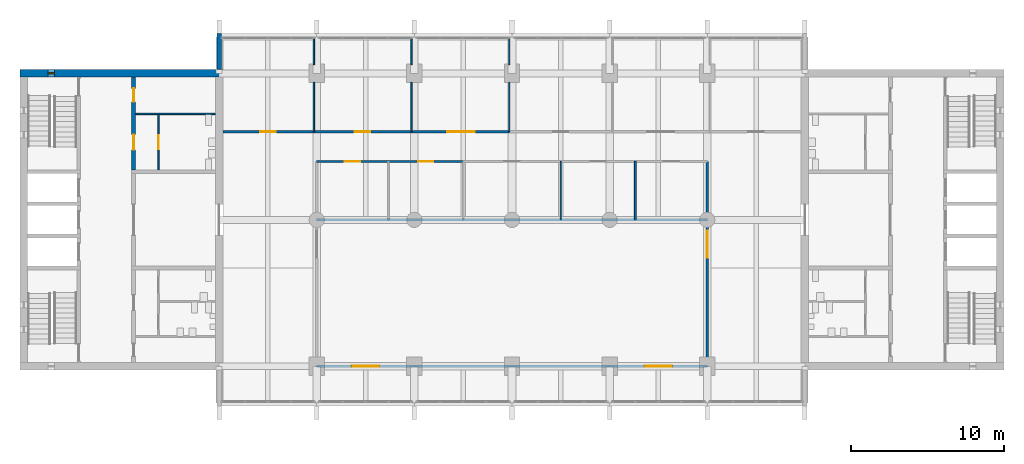
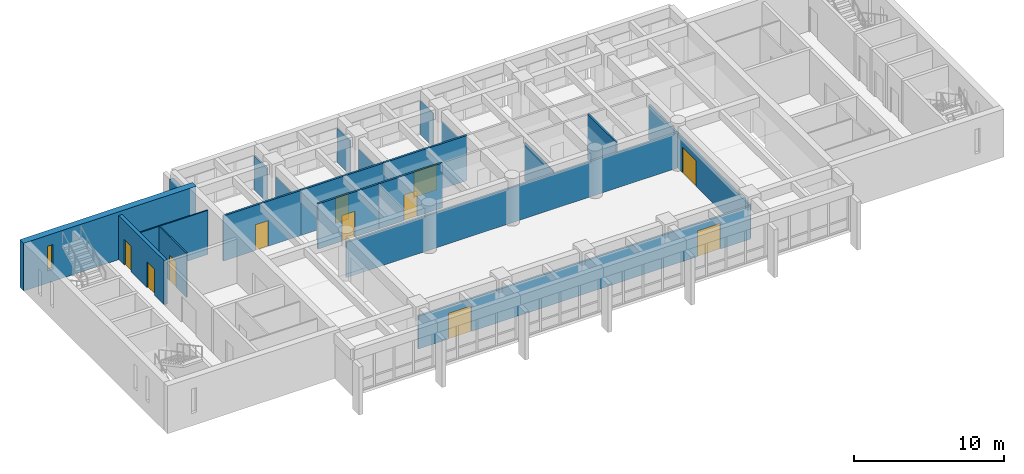
# One storey, part 10 of 15: 21 walls, 11 doors, 1 window, 12 openings.
"""IFC4 building model written with IfcOpenShell, lengths in metres."""

from ifc_helpers import new_model, si_unit, direction, frame, frame_2d, origin, place, context, subcontext, project, spatial, rectangle, extrude, material, layer, layer_set, type_object, element, fill, save


model = new_model("IFC4")

# Units and contexts
model_context = context("Model", 3, precision=1e-05, world=origin(), true_north=direction((0.0, 1.0)))
body_context = subcontext(model_context, "Body", "Model", "MODEL_VIEW")
ifc_project = project(units=[si_unit("LENGTHUNIT", "METRE"), si_unit("AREAUNIT", "SQUARE_METRE"), si_unit("VOLUMEUNIT", "CUBIC_METRE"), si_unit("PLANEANGLEUNIT", "RADIAN"), si_unit("MASSUNIT", "GRAM", prefix="KILO")], contexts=[model_context])

# Site, building, storey
site_placement = place(None, origin())
site = spatial("IfcSite", under=ifc_project, at=site_placement, CompositionType="ELEMENT")
building_placement = place(site_placement, origin())
building = spatial("IfcBuilding", under=site, at=building_placement, Name="Fogon Plaza Fire Station and Headquarters Tower", CompositionType="ELEMENT")
storey_placement = place(building_placement, frame((0.0, 0.0, 32.699951171875)))
storey = spatial("IfcBuildingStorey", under=building, at=storey_placement, Name="L08", CompositionType="ELEMENT", Elevation=32.699951171875)

# Wall, openings, doors
ifc_material_1 = material(Name="Concrete C40", Category="concrete")
ifc_layer_1 = layer(ifc_material_1, 0.25)
ifc_layer_set_1 = layer_set([ifc_layer_1], Name="Concrete C40")
wall_type_1 = type_object("IfcWallType", Name="Core Wall RC 250", PredefinedType="SOLIDWALL", material=ifc_layer_set_1)
wall_1_placement = place(storey_placement, frame((20.0, 46.47509765625, 0.0), z_axis=(0.0, 0.0, 1.0), x_axis=(0.0, 1.0, 0.0)))
wall_1 = element("IfcWall", 1, at=wall_1_placement, inside=storey, type_object=wall_type_1, Name="Core A shaft wall", PredefinedType="SOLIDWALL", context=body_context, shape_type="SweptSolid", body=[
    extrude(rectangle(XDim=6.074951171875, YDim=0.25, at=frame_2d((3.03759765625, 0.0))), origin(), (0.0, 0.0, 1.0), 3.60009765625),
])
opening_1_placement = place(wall_1_placement, frame((1.3125, 0.0, 0.0)))
opening_1 = element("IfcOpeningElement", 2, at=opening_1_placement, cuts=wall_1, Name="Opening L08-D12", PredefinedType="OPENING", context=body_context, shape_type="SweptSolid", body=[
    extrude(rectangle(XDim=1.0, YDim=2.10009765625, at=frame_2d((0.5, 1.050048828125))), frame((0.0, 0.135009765625, 0.0), z_axis=(0.0, -1.0, 0.0), x_axis=(1.0, 0.0, 0.0)), (0.0, 0.0, 1.0), 0.27001953125),
])
opening_2_placement = place(wall_1_placement, frame((4.449951171875, 0.0, 0.0)))
opening_2 = element("IfcOpeningElement", 3, at=opening_2_placement, cuts=wall_1, Name="Opening L08-D14", PredefinedType="OPENING", context=body_context, shape_type="SweptSolid", body=[
    extrude(rectangle(XDim=0.89990234375, YDim=2.10009765625, at=frame_2d((0.449951171875, 1.050048828125))), frame((0.0, 0.135009765625, 0.0), z_axis=(0.0, -1.0, 0.0), x_axis=(1.0, 0.0, 0.0)), (0.0, 0.0, 1.0), 0.27001953125),
])
ifc_material_2 = material(Name="Steel Fire Door Leaf", Category="steel")
door_type_1 = type_object("IfcDoorType", Name="Riser Single 900x2100", OperationType="SINGLE_SWING_LEFT", PredefinedType="DOOR", material=ifc_material_2)
door_1_placement = place(opening_2_placement, frame((0.89990234375, 0.0, 0.0), z_axis=(0.0, 0.0, 1.0), x_axis=(-1.0, 0.0, 0.0)))
door_1 = element("IfcDoor", 4, at=door_1_placement, inside=storey, type_object=door_type_1, Name="Riser room A door", OperationType="SINGLE_SWING_LEFT", OverallHeight=2.10009765625, OverallWidth=0.89990234375, PredefinedType="DOOR", context=body_context, shape_type="SweptSolid", body=[
    extrude(rectangle(XDim=0.89990234375, YDim=2.10009765625, at=frame_2d((0.449951171875, 1.050048828125))), frame((0.0, 0.02490234375, 0.0), z_axis=(0.0, -1.0, 0.0), x_axis=(1.0, 0.0, 0.0)), (0.0, 0.0, 1.0), 0.050048828125),
])
fill(opening_2, door_1)
ifc_material_3 = material(Name="Timber fire door", Category="wood")
door_type_2 = type_object("IfcDoorType", Name="WC Lobby Single 1000x2100", OperationType="SINGLE_SWING_LEFT", PredefinedType="DOOR", material=ifc_material_3)
door_2_placement = place(opening_1_placement, frame((1.0, 0.0, 0.0), z_axis=(0.0, 0.0, 1.0), x_axis=(-1.0, 0.0, 0.0)))
door_2 = element("IfcDoor", 5, at=door_2_placement, inside=storey, type_object=door_type_2, Name="Women's WC lobby A door", OperationType="SINGLE_SWING_LEFT", OverallHeight=2.10009765625, OverallWidth=1.0, PredefinedType="DOOR", context=body_context, shape_type="SweptSolid", body=[
    extrude(rectangle(XDim=1.0, YDim=2.10009765625, at=frame_2d((0.5, 1.050048828125))), frame((0.0, 0.02490234375, 0.0), z_axis=(0.0, -1.0, 0.0), x_axis=(1.0, 0.0, 0.0)), (0.0, 0.0, 1.0), 0.050048828125),
])
fill(opening_1, door_2)

# Wall
ifc_material_4 = material(Name="Concrete C40", Category="concrete")
ifc_layer_2 = layer(ifc_material_4, 0.300048828125)
ifc_layer_set_2 = layer_set([ifc_layer_2], Name="Concrete C40")
wall_type_2 = type_object("IfcWallType", Name="Fair-faced RC Return Panel 300", PredefinedType="SOLIDWALL", material=ifc_layer_set_2)
wall_2_placement = place(storey_placement, frame((25.60009765625, 53.050048828125, 0.0), z_axis=(0.0, 0.0, 1.0), x_axis=(0.0, 1.0, 0.0)))
element("IfcWall", 6, at=wall_2_placement, inside=storey, type_object=wall_type_2, Name="Bar end return WN L08", PredefinedType="SOLIDWALL", context=body_context, shape_type="SweptSolid", body=[
    extrude(rectangle(XDim=2.349853515625, YDim=0.300048828125, at=frame_2d((1.1748046875, 0.0))), origin(), (0.0, 0.0, 1.0), 2.880126953125),
])

# Wall, opening, door
ifc_material_5 = material(Name="Blockwork", Category="masonry")
ifc_layer_3 = layer(ifc_material_5, 0.10009765625)
ifc_layer_set_3 = layer_set([ifc_layer_3], Name="Blockwork")
wall_type_3 = type_object("IfcWallType", Name="Partition Blockwork 100", PredefinedType="PARTITIONING", material=ifc_layer_set_3)
wall_3_placement = place(storey_placement, frame((21.625, 46.47509765625, 0.0), z_axis=(0.0, 0.0, 1.0), x_axis=(0.0, 1.0, 0.0)))
wall_3 = element("IfcWall", 7, at=wall_3_placement, inside=storey, type_object=wall_type_3, Name="WC block partition", PredefinedType="PARTITIONING", context=body_context, shape_type="SweptSolid", body=[
    extrude(rectangle(XDim=3.625, YDim=0.10009765625, at=frame_2d((1.8125, 0.0))), origin(), (0.0, 0.0, 1.0), 3.60009765625),
])
opening_3_placement = place(wall_3_placement, frame((1.362548828125, 0.0, 0.0)))
opening_3 = element("IfcOpeningElement", 8, at=opening_3_placement, cuts=wall_3, Name="Opening L08-D13", PredefinedType="OPENING", context=body_context, shape_type="SweptSolid", body=[
    extrude(rectangle(XDim=0.89990234375, YDim=2.10009765625, at=frame_2d((0.449951171875, 1.050048828125))), frame((0.0, 0.06005859375, 0.0), z_axis=(0.0, -1.0, 0.0), x_axis=(1.0, 0.0, 0.0)), (0.0, 0.0, 1.0), 0.1201171875),
])
ifc_material_6 = material(Name="Timber Door Leaf", Category="wood")
door_type_3 = type_object("IfcDoorType", Name="WC Single 900x2100", OperationType="SINGLE_SWING_LEFT", PredefinedType="DOOR", material=ifc_material_6)
door_3_placement = place(opening_3_placement, frame((0.89990234375, 0.0, 0.0), z_axis=(0.0, 0.0, 1.0), x_axis=(-1.0, 0.0, 0.0)))
door_3 = element("IfcDoor", 9, at=door_3_placement, inside=storey, type_object=door_type_3, Name="Women's WC A door", OperationType="SINGLE_SWING_RIGHT", OverallHeight=2.10009765625, OverallWidth=0.89990234375, PredefinedType="DOOR", context=body_context, shape_type="SweptSolid", body=[
    extrude(rectangle(XDim=0.89990234375, YDim=2.10009765625, at=frame_2d((0.449951171875, 1.050048828125))), frame((0.0, 0.02490234375, 0.0), z_axis=(0.0, -1.0, 0.0), x_axis=(1.0, 0.0, 0.0)), (0.0, 0.0, 1.0), 0.050048828125),
])
fill(opening_3, door_3)

# Wall
ifc_material_7 = material(Name="Blockwork", Category="masonry")
ifc_layer_4 = layer(ifc_material_7, 0.10009765625)
ifc_layer_set_4 = layer_set([ifc_layer_4], Name="Blockwork")
wall_type_4 = type_object("IfcWallType", Name="Riser Partition Blockwork 100", PredefinedType="PARTITIONING", material=ifc_layer_set_4)
wall_4_placement = place(storey_placement, frame((20.125, 50.14990234375, 0.0), z_axis=(0.0, 0.0, 1.0), x_axis=(1.0, 0.0, 0.0)))
element("IfcWall", 10, at=wall_4_placement, inside=storey, type_object=wall_type_4, Name="Riser room partition", PredefinedType="PARTITIONING", context=body_context, shape_type="SweptSolid", body=[
    extrude(rectangle(XDim=5.22509765625, YDim=0.10009765625, at=frame_2d((2.612548828125, 0.0))), origin(), (0.0, 0.0, 1.0), 3.60009765625),
])

# Wall, opening, window
ifc_material_8 = material(Name="Concrete C40", Category="concrete")
ifc_layer_5 = layer(ifc_material_8, 0.5)
ifc_layer_set_5 = layer_set([ifc_layer_5], Name="Concrete C40")
wall_type_5 = type_object("IfcWallType", Name="Shear wall 500 SW50", PredefinedType="SHEAR", material=ifc_layer_set_5)
wall_5_placement = place(storey_placement, frame((12.550048828125, 52.800048828125, 0.0), z_axis=(0.0, 0.0, 1.0), x_axis=(1.0, 0.0, 0.0)))
wall_5 = element("IfcWall", 11, at=wall_5_placement, inside=storey, type_object=wall_type_5, Name="wall-coreA-N-L08", PredefinedType="SHEAR", context=body_context, shape_type="SweptSolid", body=[
    extrude(rectangle(XDim=13.300048828125, YDim=0.5, at=frame_2d((6.64990234375, 0.0))), origin(), (0.0, 0.0, 1.0), 3.900146484375),
])
opening_4_placement = place(wall_5_placement, frame((1.85009765625, 0.0, 1.0)))
opening_4 = element("IfcOpeningElement", 12, at=opening_4_placement, cuts=wall_5, Name="Opening WS1", PredefinedType="OPENING", context=body_context, shape_type="SweptSolid", body=[
    extrude(rectangle(XDim=0.39990234375, YDim=2.0, at=frame_2d((0.199951171875, 1.0))), frame((0.0, 0.260009765625, 0.0), z_axis=(0.0, -1.0, 0.0), x_axis=(1.0, 0.0, 0.0)), (0.0, 0.0, 1.0), 0.52001953125),
])
ifc_material_9 = material(Name="Aluminium framed double glazing", Category="aluminium")
window_type = type_object("IfcWindowType", Name="Slit Window WS1 400x2000", PartitioningType="SINGLE_PANEL", PredefinedType="WINDOW", material=ifc_material_9)
window_placement = place(opening_4_placement, origin())
window = element("IfcWindow", 13, at=window_placement, inside=storey, type_object=window_type, Name="Slit window A6 L08", OverallHeight=2.0, OverallWidth=0.39990234375, PartitioningType="SINGLE_PANEL", PredefinedType="WINDOW", context=body_context, shape_type="SweptSolid", body=[
    extrude(rectangle(XDim=0.39990234375, YDim=2.0, at=frame_2d((0.199951171875, 1.0))), frame((0.0, 0.030029296875, 0.0), z_axis=(0.0, -1.0, 0.0), x_axis=(1.0, 0.0, 0.0)), (0.0, 0.0, 1.0), 0.06005859375),
])
fill(opening_4, window)

# Wall, opening, door
ifc_material_10 = material(Name="Gypsum board on steel stud", Category="steel")
ifc_layer_6 = layer(ifc_material_10, 0.14990234375)
ifc_layer_set_6 = layer_set([ifc_layer_6], Name="Gypsum board on steel stud")
wall_type_6 = type_object("IfcWallType", Name="Tower corridor partition 150 EI 60", PredefinedType="PARTITIONING", material=ifc_layer_set_6)
wall_6_placement = place(storey_placement, frame((32.0, 47.02490234375, 0.0), z_axis=(0.0, 0.0, 1.0), x_axis=(1.0, 0.0, 0.0)))
wall_6 = element("IfcWall", 14, at=wall_6_placement, inside=storey, type_object=wall_type_6, Name="part-L08-01", PredefinedType="PARTITIONING", context=body_context, shape_type="SweptSolid", body=[
    extrude(rectangle(XDim=4.7099609375, YDim=0.14990234375, at=frame_2d((2.35498046875, 0.0))), origin(), (0.0, 0.0, 1.0), 3.679931640625),
])
opening_5_placement = place(wall_6_placement, frame((1.85009765625, 0.0, 0.0)))
opening_5 = element("IfcOpeningElement", 15, at=opening_5_placement, cuts=wall_6, Name="Opening L08-D29", PredefinedType="OPENING", context=body_context, shape_type="SweptSolid", body=[
    extrude(rectangle(XDim=1.0, YDim=2.10009765625, at=frame_2d((0.5, 1.050048828125))), frame((0.0, 0.0849609375, 0.0), z_axis=(0.0, -1.0, 0.0), x_axis=(1.0, 0.0, 0.0)), (0.0, 0.0, 1.0), 0.169921875),
])
ifc_material_11 = material(Name="Timber fire door", Category="wood")
door_type_4 = type_object("IfcDoorType", Name="Tower fire door single 1000 EI 20", OperationType="SINGLE_SWING_LEFT", PredefinedType="DOOR", material=ifc_material_11)
door_4_placement = place(opening_5_placement, frame((1.0, 0.0, 0.0), z_axis=(0.0, 0.0, 1.0), x_axis=(-1.0, 0.0, 0.0)))
door_4 = element("IfcDoor", 16, at=door_4_placement, inside=storey, type_object=door_type_4, Name="door-L08-01", OperationType="SINGLE_SWING_LEFT", OverallHeight=2.10009765625, OverallWidth=1.0, PredefinedType="DOOR", context=body_context, shape_type="SweptSolid", body=[
    extrude(rectangle(XDim=1.0, YDim=2.10009765625, at=frame_2d((0.5, 1.050048828125))), frame((0.0, 0.02490234375, 0.0), z_axis=(0.0, -1.0, 0.0), x_axis=(1.0, 0.0, 0.0)), (0.0, 0.0, 1.0), 0.050048828125),
])
fill(opening_5, door_4)

wall_7_placement = place(storey_placement, frame((36.7099609375, 47.02490234375, 0.0), z_axis=(0.0, 0.0, 1.0), x_axis=(1.0, 0.0, 0.0)))
wall_7 = element("IfcWall", 17, at=wall_7_placement, inside=storey, type_object=wall_type_6, Name="part-L08-02", PredefinedType="PARTITIONING", context=body_context, shape_type="SweptSolid", body=[
    extrude(rectangle(XDim=4.89013671875, YDim=0.14990234375, at=frame_2d((2.445068359375, 0.0))), origin(), (0.0, 0.0, 1.0), 3.679931640625),
])
opening_6_placement = place(wall_7_placement, frame((1.93994140625, 0.0, 0.0)))
opening_6 = element("IfcOpeningElement", 18, at=opening_6_placement, cuts=wall_7, Name="Opening L08-D30", PredefinedType="OPENING", context=body_context, shape_type="SweptSolid", body=[
    extrude(rectangle(XDim=1.0, YDim=2.10009765625, at=frame_2d((0.5, 1.050048828125))), frame((0.0, 0.0849609375, 0.0), z_axis=(0.0, -1.0, 0.0), x_axis=(1.0, 0.0, 0.0)), (0.0, 0.0, 1.0), 0.169921875),
])
door_5_placement = place(opening_6_placement, frame((1.0, 0.0, 0.0), z_axis=(0.0, 0.0, 1.0), x_axis=(-1.0, 0.0, 0.0)))
door_5 = element("IfcDoor", 19, at=door_5_placement, inside=storey, type_object=door_type_4, Name="door-L08-02", OperationType="SINGLE_SWING_RIGHT", OverallHeight=2.10009765625, OverallWidth=1.0, PredefinedType="DOOR", context=body_context, shape_type="SweptSolid", body=[
    extrude(rectangle(XDim=1.0, YDim=2.10009765625, at=frame_2d((0.5, 1.050048828125))), frame((0.0, 0.02490234375, 0.0), z_axis=(0.0, -1.0, 0.0), x_axis=(1.0, 0.0, 0.0)), (0.0, 0.0, 1.0), 0.050048828125),
])
fill(opening_6, door_5)

wall_8_placement = place(storey_placement, frame((25.85009765625, 48.97509765625, 0.0), z_axis=(0.0, 0.0, 1.0), x_axis=(1.0, 0.0, 0.0)))
wall_8 = element("IfcWall", 20, at=wall_8_placement, inside=storey, type_object=wall_type_6, Name="part-L08-10", PredefinedType="PARTITIONING", context=body_context, shape_type="SweptSolid", body=[
    extrude(rectangle(XDim=5.969970703125, YDim=0.14990234375, at=frame_2d((2.98486328125, 0.0))), origin(), (0.0, 0.0, 1.0), 3.679931640625),
])
opening_7_placement = place(wall_8_placement, frame((2.449951171875, 0.0, 0.0)))
opening_7 = element("IfcOpeningElement", 21, at=opening_7_placement, cuts=wall_8, Name="Opening L08-D34", PredefinedType="OPENING", context=body_context, shape_type="SweptSolid", body=[
    extrude(rectangle(XDim=1.0, YDim=2.10009765625, at=frame_2d((0.5, 1.050048828125))), frame((0.0, 0.0849609375, 0.0), z_axis=(0.0, -1.0, 0.0), x_axis=(1.0, 0.0, 0.0)), (0.0, 0.0, 1.0), 0.169921875),
])
door_6_placement = place(opening_7_placement, origin())
door_6 = element("IfcDoor", 22, at=door_6_placement, inside=storey, type_object=door_type_4, Name="door-L08-06", OperationType="SINGLE_SWING_LEFT", OverallHeight=2.10009765625, OverallWidth=1.0, PredefinedType="DOOR", context=body_context, shape_type="SweptSolid", body=[
    extrude(rectangle(XDim=1.0, YDim=2.10009765625, at=frame_2d((0.5, 1.050048828125))), frame((0.0, 0.02490234375, 0.0), z_axis=(0.0, -1.0, 0.0), x_axis=(1.0, 0.0, 0.0)), (0.0, 0.0, 1.0), 0.050048828125),
])
fill(opening_7, door_6)

wall_9_placement = place(storey_placement, frame((31.820068359375, 48.97509765625, 0.0), z_axis=(0.0, 0.0, 1.0), x_axis=(1.0, 0.0, 0.0)))
wall_9 = element("IfcWall", 23, at=wall_9_placement, inside=storey, type_object=wall_type_6, Name="part-L08-11", PredefinedType="PARTITIONING", context=body_context, shape_type="SweptSolid", body=[
    extrude(rectangle(XDim=6.39990234375, YDim=0.14990234375, at=frame_2d((3.199951171875, 0.0))), origin(), (0.0, 0.0, 1.0), 3.679931640625),
])
opening_8_placement = place(wall_9_placement, frame((2.679931640625, 0.0, 0.0)))
opening_8 = element("IfcOpeningElement", 24, at=opening_8_placement, cuts=wall_9, Name="Opening L08-D35", PredefinedType="OPENING", context=body_context, shape_type="SweptSolid", body=[
    extrude(rectangle(XDim=1.0, YDim=2.10009765625, at=frame_2d((0.5, 1.050048828125))), frame((0.0, 0.0849609375, 0.0), z_axis=(0.0, -1.0, 0.0), x_axis=(1.0, 0.0, 0.0)), (0.0, 0.0, 1.0), 0.169921875),
])
door_7_placement = place(opening_8_placement, origin())
door_7 = element("IfcDoor", 25, at=door_7_placement, inside=storey, type_object=door_type_4, Name="door-L08-07", OperationType="SINGLE_SWING_RIGHT", OverallHeight=2.10009765625, OverallWidth=1.0, PredefinedType="DOOR", context=body_context, shape_type="SweptSolid", body=[
    extrude(rectangle(XDim=1.0, YDim=2.10009765625, at=frame_2d((0.5, 1.050048828125))), frame((0.0, 0.02490234375, 0.0), z_axis=(0.0, -1.0, 0.0), x_axis=(1.0, 0.0, 0.0)), (0.0, 0.0, 1.0), 0.050048828125),
])
fill(opening_8, door_7)

wall_10_placement = place(storey_placement, frame((38.219970703125, 48.97509765625, 0.0), z_axis=(0.0, 0.0, 1.0), x_axis=(1.0, 0.0, 0.0)))
wall_10 = element("IfcWall", 26, at=wall_10_placement, inside=storey, type_object=wall_type_6, Name="part-L08-12", PredefinedType="PARTITIONING", context=body_context, shape_type="SweptSolid", body=[
    extrude(rectangle(XDim=6.400146484375, YDim=0.14990234375, at=frame_2d((3.2001953125, 0.0))), origin(), (0.0, 0.0, 1.0), 3.679931640625),
])
opening_9_placement = place(wall_10_placement, frame((2.330078125, 0.0, 0.0)))
opening_9 = element("IfcOpeningElement", 27, at=opening_9_placement, cuts=wall_10, Name="Opening L08-D36", PredefinedType="OPENING", context=body_context, shape_type="SweptSolid", body=[
    extrude(rectangle(XDim=1.800048828125, YDim=2.10009765625, at=frame_2d((0.89990234375, 1.050048828125))), frame((0.0, 0.0849609375, 0.0), z_axis=(0.0, -1.0, 0.0), x_axis=(1.0, 0.0, 0.0)), (0.0, 0.0, 1.0), 0.169921875),
])
ifc_material_12 = material(Name="Timber fire door", Category="wood")
door_type_5 = type_object("IfcDoorType", Name="Tower fire door double 1800 EI 20", OperationType="DOUBLE_DOOR_SINGLE_SWING", PredefinedType="DOOR", material=ifc_material_12)
door_8_placement = place(opening_9_placement, origin())
door_8 = element("IfcDoor", 28, at=door_8_placement, inside=storey, type_object=door_type_5, Name="door-L08-08", OperationType="DOUBLE_DOOR_SINGLE_SWING", OverallHeight=2.10009765625, OverallWidth=1.800048828125, PredefinedType="DOOR", context=body_context, shape_type="SweptSolid", body=[
    extrude(rectangle(XDim=1.800048828125, YDim=2.10009765625, at=frame_2d((0.89990234375, 1.050048828125))), frame((0.0, 0.02490234375, 0.0), z_axis=(0.0, -1.0, 0.0), x_axis=(1.0, 0.0, 0.0)), (0.0, 0.0, 1.0), 0.050048828125),
])
fill(opening_9, door_8)

# Wall, openings, doors
ifc_material_13 = material(Name="Gypsum board on steel stud", Category="steel")
ifc_layer_7 = layer(ifc_material_13, 0.14990234375)
ifc_layer_set_7 = layer_set([ifc_layer_7], Name="Gypsum board on steel stud")
wall_type_7 = type_object("IfcWallType", Name="Tower corridor partition 150 EI 60 Beam Head 1000", PredefinedType="PARTITIONING", material=ifc_layer_set_7)
wall_11_placement = place(storey_placement, frame((32.0, 33.60009765625, 0.0), z_axis=(0.0, 0.0, 1.0), x_axis=(1.0, 0.0, 0.0)))
wall_11 = element("IfcWall", 29, at=wall_11_placement, inside=storey, type_object=wall_type_7, Name="part-L08-29", PredefinedType="PARTITIONING", context=body_context, shape_type="SweptSolid", body=[
    extrude(rectangle(XDim=25.60009765625, YDim=0.14990234375, at=frame_2d((12.800048828125, 0.0))), origin(), (0.0, 0.0, 1.0), 2.679931640625),
])
opening_10_placement = place(wall_11_placement, frame((2.300048828125, 0.0, 0.0)))
opening_10 = element("IfcOpeningElement", 30, at=opening_10_placement, cuts=wall_11, Name="Opening L08-D42", PredefinedType="OPENING", context=body_context, shape_type="SweptSolid", body=[
    extrude(rectangle(XDim=1.800048828125, YDim=2.10009765625, at=frame_2d((0.89990234375, 1.050048828125))), frame((0.0, 0.0849609375, 0.0), z_axis=(0.0, -1.0, 0.0), x_axis=(1.0, 0.0, 0.0)), (0.0, 0.0, 1.0), 0.169921875),
])
opening_11_placement = place(wall_11_placement, frame((21.5, 0.0, 0.0)))
opening_11 = element("IfcOpeningElement", 31, at=opening_11_placement, cuts=wall_11, Name="Opening L08-D43", PredefinedType="OPENING", context=body_context, shape_type="SweptSolid", body=[
    extrude(rectangle(XDim=1.800048828125, YDim=2.10009765625, at=frame_2d((0.89990234375, 1.050048828125))), frame((0.0, 0.0849609375, 0.0), z_axis=(0.0, -1.0, 0.0), x_axis=(1.0, 0.0, 0.0)), (0.0, 0.0, 1.0), 0.169921875),
])
door_9_placement = place(opening_10_placement, frame((1.800048828125, 0.0, 0.0), z_axis=(0.0, 0.0, 1.0), x_axis=(-1.0, 0.0, 0.0)))
door_9 = element("IfcDoor", 32, at=door_9_placement, inside=storey, type_object=door_type_5, Name="door-L08-14", OperationType="DOUBLE_DOOR_SINGLE_SWING", OverallHeight=2.10009765625, OverallWidth=1.800048828125, PredefinedType="DOOR", context=body_context, shape_type="SweptSolid", body=[
    extrude(rectangle(XDim=1.800048828125, YDim=2.10009765625, at=frame_2d((0.89990234375, 1.050048828125))), frame((0.0, 0.02490234375, 0.0), z_axis=(0.0, -1.0, 0.0), x_axis=(1.0, 0.0, 0.0)), (0.0, 0.0, 1.0), 0.050048828125),
])
fill(opening_10, door_9)
door_10_placement = place(opening_11_placement, frame((1.800048828125, 0.0, 0.0), z_axis=(0.0, 0.0, 1.0), x_axis=(-1.0, 0.0, 0.0)))
door_10 = element("IfcDoor", 33, at=door_10_placement, inside=storey, type_object=door_type_5, Name="door-L08-15", OperationType="DOUBLE_DOOR_SINGLE_SWING", OverallHeight=2.10009765625, OverallWidth=1.800048828125, PredefinedType="DOOR", context=body_context, shape_type="SweptSolid", body=[
    extrude(rectangle(XDim=1.800048828125, YDim=2.10009765625, at=frame_2d((0.89990234375, 1.050048828125))), frame((0.0, 0.02490234375, 0.0), z_axis=(0.0, -1.0, 0.0), x_axis=(1.0, 0.0, 0.0)), (0.0, 0.0, 1.0), 0.050048828125),
])
fill(opening_11, door_10)

# Wall
ifc_material_14 = material(Name="Gypsum board on steel stud", Category="steel")
ifc_layer_8 = layer(ifc_material_14, 0.14990234375)
ifc_layer_set_8 = layer_set([ifc_layer_8], Name="Gypsum board on steel stud")
wall_type_8 = type_object("IfcWallType", Name="Tower corridor partition 150 EI 60 Beam Head 800", PredefinedType="PARTITIONING", material=ifc_layer_set_8)
wall_12_placement = place(storey_placement, frame((32.0, 43.199951171875, 0.0), z_axis=(0.0, 0.0, 1.0), x_axis=(1.0, 0.0, 0.0)))
element("IfcWall", 34, at=wall_12_placement, inside=storey, type_object=wall_type_8, Name="part-L08-28", PredefinedType="PARTITIONING", context=body_context, shape_type="SweptSolid", body=[
    extrude(rectangle(XDim=25.60009765625, YDim=0.14990234375, at=frame_2d((12.800048828125, 0.0))), origin(), (0.0, 0.0, 1.0), 2.880126953125),
])

# Wall, opening, door
ifc_material_15 = material(Name="Gypsum board on steel stud", Category="steel")
ifc_layer_9 = layer(ifc_material_15, 0.14990234375)
ifc_layer_set_9 = layer_set([ifc_layer_9], Name="Gypsum board on steel stud")
wall_type_9 = type_object("IfcWallType", Name="Tower corridor partition 150 EI 60 Beam Head 900", PredefinedType="PARTITIONING", material=ifc_layer_set_9)
wall_13_placement = place(storey_placement, frame((57.60009765625, 33.60009765625, 0.0), z_axis=(0.0, 0.0, 1.0), x_axis=(0.0, 1.0, 0.0)))
wall_13 = element("IfcWall", 35, at=wall_13_placement, inside=storey, type_object=wall_type_9, Name="part-L08-27", PredefinedType="PARTITIONING", context=body_context, shape_type="SweptSolid", body=[
    extrude(rectangle(XDim=13.4248046875, YDim=0.14990234375, at=frame_2d((6.71240234375, 0.0))), origin(), (0.0, 0.0, 1.0), 2.780029296875),
])
opening_12_placement = place(wall_13_placement, frame((7.10009765625, 0.0, 0.0)))
opening_12 = element("IfcOpeningElement", 36, at=opening_12_placement, cuts=wall_13, Name="Opening L08-D41", PredefinedType="OPENING", context=body_context, shape_type="SweptSolid", body=[
    extrude(rectangle(XDim=1.800048828125, YDim=2.10009765625, at=frame_2d((0.89990234375, 1.050048828125))), frame((0.0, 0.0849609375, 0.0), z_axis=(0.0, -1.0, 0.0), x_axis=(1.0, 0.0, 0.0)), (0.0, 0.0, 1.0), 0.169921875),
])
door_11_placement = place(opening_12_placement, frame((1.800048828125, 0.0, 0.0), z_axis=(0.0, 0.0, 1.0), x_axis=(-1.0, 0.0, 0.0)))
door_11 = element("IfcDoor", 37, at=door_11_placement, inside=storey, type_object=door_type_5, Name="door-L08-13", OperationType="DOUBLE_DOOR_SINGLE_SWING", OverallHeight=2.10009765625, OverallWidth=1.800048828125, PredefinedType="DOOR", context=body_context, shape_type="SweptSolid", body=[
    extrude(rectangle(XDim=1.800048828125, YDim=2.10009765625, at=frame_2d((0.89990234375, 1.050048828125))), frame((0.0, 0.02490234375, 0.0), z_axis=(0.0, -1.0, 0.0), x_axis=(1.0, 0.0, 0.0)), (0.0, 0.0, 1.0), 0.050048828125),
])
fill(opening_12, door_11)

# Walls
ifc_material_16 = material(Name="Glazed aluminium partition", Category="aluminium")
ifc_layer_10 = layer(ifc_material_16, 0.074951171875)
ifc_layer_set_10 = layer_set([ifc_layer_10], Name="Glazed aluminium partition")
wall_type_10 = type_object("IfcWallType", Name="Tower glazed partition 75 Beam Head 600", PredefinedType="PARTITIONING", material=ifc_layer_set_10)
wall_14_placement = place(storey_placement, frame((48.0, 43.199951171875, 0.0), z_axis=(0.0, 0.0, 1.0), x_axis=(0.0, 1.0, 0.0)))
element("IfcWall", 38, at=wall_14_placement, inside=storey, type_object=wall_type_10, Name="part-L08-08", PredefinedType="PARTITIONING", context=body_context, shape_type="SweptSolid", body=[
    extrude(rectangle(XDim=3.824951171875, YDim=0.074951171875, at=frame_2d((1.91259765625, 0.0))), origin(), (0.0, 0.0, 1.0), 3.080078125),
])
ifc_material_17 = material(Name="Glazed aluminium partition", Category="aluminium")
ifc_layer_11 = layer(ifc_material_17, 0.074951171875)
ifc_layer_set_11 = layer_set([ifc_layer_11], Name="Glazed aluminium partition")
wall_type_11 = type_object("IfcWallType", Name="Tower glazed partition 75 Beam Head 900", PredefinedType="PARTITIONING", material=ifc_layer_set_11)
wall_15_placement = place(storey_placement, frame((44.6201171875, 48.97509765625, 0.0), z_axis=(0.0, 0.0, 1.0), x_axis=(0.0, 1.0, 0.0)))
element("IfcWall", 39, at=wall_15_placement, inside=storey, type_object=wall_type_11, Name="part-L08-20", PredefinedType="PARTITIONING", context=body_context, shape_type="SweptSolid", body=[
    extrude(rectangle(XDim=3.244873046875, YDim=0.074951171875, at=frame_2d((1.62255859375, 0.0))), origin(), (0.0, 0.0, 1.0), 2.780029296875),
])
wall_16_placement = place(storey_placement, frame((44.6201171875, 53.3798828125, 0.0), z_axis=(0.0, 0.0, 1.0), x_axis=(0.0, 1.0, 0.0)))
element("IfcWall", 40, at=wall_16_placement, inside=storey, type_object=wall_type_11, Name="part-L08-21", PredefinedType="PARTITIONING", context=body_context, shape_type="SweptSolid", body=[
    extrude(rectangle(XDim=1.72021484375, YDim=0.074951171875, at=frame_2d((0.860107421875, 0.0))), origin(), (0.0, 0.0, 1.0), 2.780029296875),
])
ifc_material_18 = material(Name="Tiled gypsum board on steel stud", Category="steel")
ifc_layer_12 = layer(ifc_material_18, 0.125)
ifc_layer_set_12 = layer_set([ifc_layer_12], Name="Tiled gypsum board on steel stud")
wall_type_12 = type_object("IfcWallType", Name="Tower kitchen partition 125 EI 60", PredefinedType="PARTITIONING", material=ifc_layer_set_12)
wall_17_placement = place(storey_placement, frame((52.889892578125, 43.199951171875, 0.0), z_axis=(0.0, 0.0, 1.0), x_axis=(0.0, 1.0, 0.0)))
element("IfcWall", 41, at=wall_17_placement, inside=storey, type_object=wall_type_12, Name="part-L08-09", PredefinedType="PARTITIONING", context=body_context, shape_type="SweptSolid", body=[
    extrude(rectangle(XDim=3.824951171875, YDim=0.125, at=frame_2d((1.91259765625, 0.0))), origin(), (0.0, 0.0, 1.0), 3.679931640625),
])
ifc_material_19 = material(Name="Gypsum board on steel stud", Category="steel")
ifc_layer_13 = layer(ifc_material_19, 0.10009765625)
ifc_layer_set_13 = layer_set([ifc_layer_13], Name="Gypsum board on steel stud")
wall_type_13 = type_object("IfcWallType", Name="Tower office partition 100 Beam Head 900", PredefinedType="PARTITIONING", material=ifc_layer_set_13)
wall_18_placement = place(storey_placement, frame((31.820068359375, 48.97509765625, 0.0), z_axis=(0.0, 0.0, 1.0), x_axis=(0.0, 1.0, 0.0)))
element("IfcWall", 42, at=wall_18_placement, inside=storey, type_object=wall_type_13, Name="part-L08-16", PredefinedType="PARTITIONING", context=body_context, shape_type="SweptSolid", body=[
    extrude(rectangle(XDim=3.244873046875, YDim=0.10009765625, at=frame_2d((1.62255859375, 0.0))), origin(), (0.0, 0.0, 1.0), 2.780029296875),
])
wall_19_placement = place(storey_placement, frame((31.820068359375, 53.3798828125, 0.0), z_axis=(0.0, 0.0, 1.0), x_axis=(0.0, 1.0, 0.0)))
element("IfcWall", 43, at=wall_19_placement, inside=storey, type_object=wall_type_13, Name="part-L08-17", PredefinedType="PARTITIONING", context=body_context, shape_type="SweptSolid", body=[
    extrude(rectangle(XDim=1.72021484375, YDim=0.10009765625, at=frame_2d((0.860107421875, 0.0))), origin(), (0.0, 0.0, 1.0), 2.780029296875),
])
wall_20_placement = place(storey_placement, frame((38.219970703125, 48.97509765625, 0.0), z_axis=(0.0, 0.0, 1.0), x_axis=(0.0, 1.0, 0.0)))
element("IfcWall", 44, at=wall_20_placement, inside=storey, type_object=wall_type_13, Name="part-L08-18", PredefinedType="PARTITIONING", context=body_context, shape_type="SweptSolid", body=[
    extrude(rectangle(XDim=3.244873046875, YDim=0.10009765625, at=frame_2d((1.62255859375, 0.0))), origin(), (0.0, 0.0, 1.0), 2.780029296875),
])
wall_21_placement = place(storey_placement, frame((38.219970703125, 53.3798828125, 0.0), z_axis=(0.0, 0.0, 1.0), x_axis=(0.0, 1.0, 0.0)))
element("IfcWall", 45, at=wall_21_placement, inside=storey, type_object=wall_type_13, Name="part-L08-19", PredefinedType="PARTITIONING", context=body_context, shape_type="SweptSolid", body=[
    extrude(rectangle(XDim=1.72021484375, YDim=0.10009765625, at=frame_2d((0.860107421875, 0.0))), origin(), (0.0, 0.0, 1.0), 2.780029296875),
])

save(model, "model.ifc")
